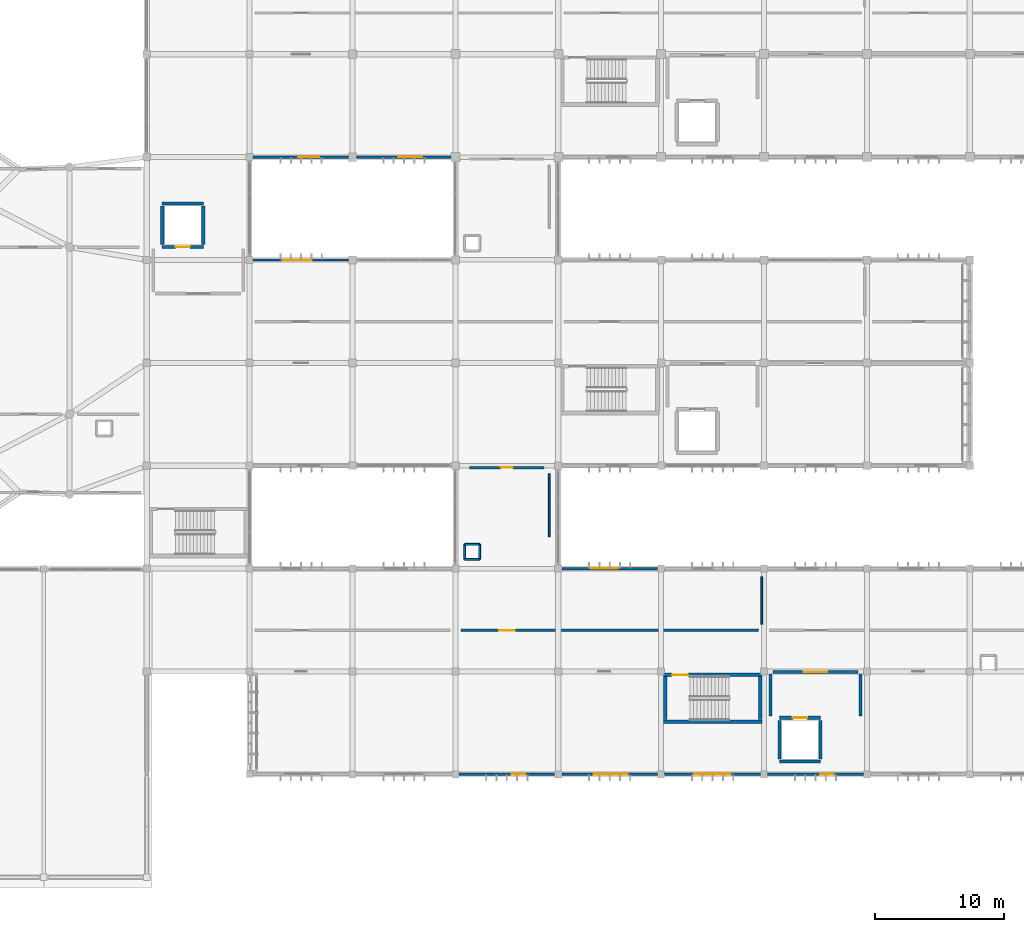
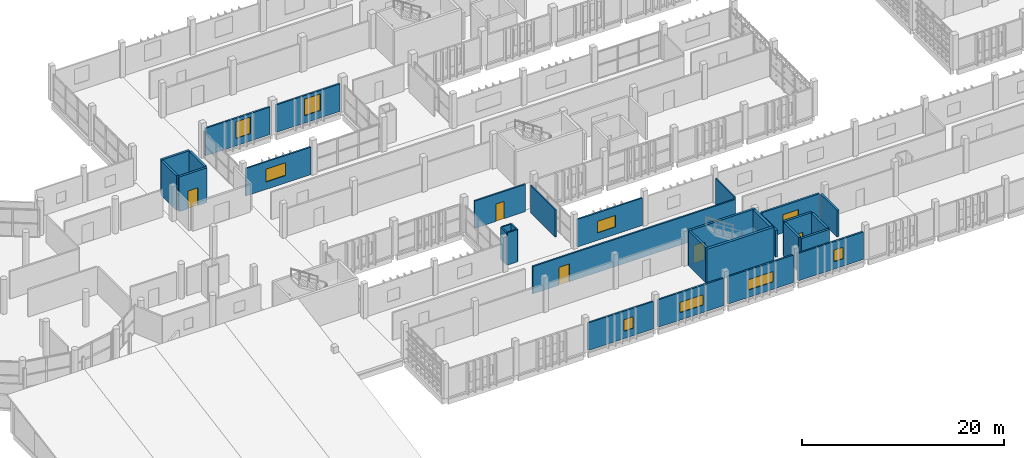
# One storey, part 66 of 83: 31 walls, 8 windows, 6 doors, 14 openings.
"""IFC4 building model written with IfcOpenShell, lengths in metres."""

from ifc_helpers import new_model, si_unit, direction, frame, frame_2d, origin, place, context, subcontext, project, spatial, rectangle, extrude, material, layer, layer_set, type_object, element, fill, save


model = new_model("IFC4")

# Units and contexts
model_context = context("Model", 3, precision=1e-05, world=origin(), true_north=direction((0.0, 1.0)))
body_context = subcontext(model_context, "Body", "Model", "MODEL_VIEW")
ifc_project = project(units=[si_unit("LENGTHUNIT", "METRE"), si_unit("AREAUNIT", "SQUARE_METRE"), si_unit("VOLUMEUNIT", "CUBIC_METRE"), si_unit("PLANEANGLEUNIT", "RADIAN"), si_unit("MASSUNIT", "GRAM", prefix="KILO")], contexts=[model_context])

# Site, building, storey
site_placement = place(None, origin())
site = spatial("IfcSite", under=ifc_project, at=site_placement, CompositionType="ELEMENT")
building_placement = place(site_placement, origin())
building = spatial("IfcBuilding", under=site, at=building_placement, Name="Jelvoka-Kovrelna Polytechnic", CompositionType="ELEMENT")
storey_placement = place(building_placement, frame((0.0, 0.0, 13.800048828125)))
storey = spatial("IfcBuildingStorey", under=building, at=storey_placement, Name="L04", CompositionType="ELEMENT", Elevation=13.800048828125)

# Wall, opening, door
ifc_material_1 = material(Name="Concrete C35/45", Category="concrete")
ifc_layer_1 = layer(ifc_material_1, 0.219970703125)
ifc_layer_set_1 = layer_set([ifc_layer_1], Name="Concrete C35/45")
wall_type_1 = type_object("IfcWallType", Name="Wall_Compartment_220", PredefinedType="PARTITIONING", material=ifc_layer_set_1)
wall_1_placement = place(storey_placement, frame((96.699951171875, 15.949951171875, 0.0), z_axis=(0.0, 0.0, 1.0), x_axis=(1.0, 0.0, 0.0)))
wall_1 = element("IfcWall", 1, at=wall_1_placement, inside=storey, type_object=wall_type_1, Name="L04 interior wall 0545", PredefinedType="PARTITIONING", context=body_context, shape_type="SweptSolid", body=[
    extrude(rectangle(XDim=6.60009765625, YDim=0.219970703125, at=frame_2d((3.300048828125, 0.0))), origin(), (0.0, 0.0, 1.0), 3.27490234375),
])
opening_1_placement = place(wall_1_placement, frame((2.39990234375, 0.0, 0.0)))
opening_1 = element("IfcOpeningElement", 2, at=opening_1_placement, cuts=wall_1, Name="Opening FD-L04-100", PredefinedType="OPENING", context=body_context, shape_type="SweptSolid", body=[
    extrude(rectangle(XDim=1.800048828125, YDim=2.199951171875, at=frame_2d((0.89990234375, 1.10009765625))), frame((0.0, 0.119873046875, 0.0), z_axis=(0.0, -1.0, 0.0), x_axis=(1.0, 0.0, 0.0)), (0.0, 0.0, 1.0), 0.239990234375),
])
ifc_material_2 = material(Name="Paired steel corridor fire door", Category="steel")
door_type_1 = type_object("IfcDoorType", Name="Door_Fire_FD03", OperationType="NOTDEFINED", PredefinedType="DOOR", material=ifc_material_2)
door_1_placement = place(opening_1_placement, origin())
door_1 = element("IfcDoor", 3, at=door_1_placement, inside=storey, type_object=door_type_1, Name="L04 interior door FD-L04-100", OperationType="DOUBLE_DOOR_SINGLE_SWING", OverallHeight=2.199951171875, OverallWidth=1.800048828125, PredefinedType="DOOR", context=body_context, shape_type="SweptSolid", body=[
    extrude(rectangle(XDim=1.800048828125, YDim=2.199951171875, at=frame_2d((0.89990234375, 1.10009765625))), frame((0.0, 0.02490234375, 0.0), z_axis=(0.0, -1.0, 0.0), x_axis=(1.0, 0.0, 0.0)), (0.0, 0.0, 1.0), 0.050048828125),
])
fill(opening_1, door_1)

# Walls
for number, where, z_axis, x_axis, name in (
    (4, (96.5, 12.550048828125, 0.0), (0.0, 0.0, 1.0), (0.0, 1.0, 0.0), "L04 interior wall 0546"),
    (5, (103.5, 12.550048828125, 0.0), (0.0, 0.0, 1.0), (0.0, 1.0, 0.0), "L04 interior wall 0547"),
):
    element("IfcWall", number, at=place(storey_placement, frame(where, z_axis=z_axis, x_axis=x_axis)), inside=storey, type_object=wall_type_1, Name=name, PredefinedType="PARTITIONING", context=body_context, shape_type="SweptSolid", body=[
        extrude(rectangle(XDim=3.25, YDim=0.219970703125, at=frame_2d((1.625, 0.0))), origin(), (0.0, 0.0, 1.0), 3.224853515625),
    ])

# Wall, opening, door
ifc_material_3 = material(Name="Concrete C40/50", Category="concrete")
ifc_layer_2 = layer(ifc_material_3, 0.25)
ifc_layer_set_2 = layer_set([ifc_layer_2], Name="Concrete C40/50")
wall_type_2 = type_object("IfcWallType", Name="Wall_Core_250", PredefinedType="SOLIDWALL", material=ifc_layer_set_2)
wall_2_placement = place(storey_placement, frame((88.199951171875, 15.739990234375, 0.0), z_axis=(0.0, 0.0, 1.0), x_axis=(1.0, 0.0, 0.0)))
wall_2 = element("IfcWall", 6, at=wall_2_placement, inside=storey, type_object=wall_type_2, Name="L04 interior wall 0079", PredefinedType="SOLIDWALL", context=body_context, shape_type="SweptSolid", body=[
    extrude(rectangle(XDim=7.650146484375, YDim=0.25, at=frame_2d((3.8251953125, 0.0))), origin(), (0.0, 0.0, 1.0), 4.199951171875),
])
opening_2_placement = place(wall_2_placement, frame((0.64990234375, 0.0, 0.0)))
opening_2 = element("IfcOpeningElement", 7, at=opening_2_placement, cuts=wall_2, Name="Opening SD-L04-020", PredefinedType="OPENING", context=body_context, shape_type="SweptSolid", body=[
    extrude(rectangle(XDim=1.25, YDim=2.14990234375, at=frame_2d((0.625, 1.074951171875))), frame((0.0, 0.135009765625, 0.0), z_axis=(0.0, -1.0, 0.0), x_axis=(1.0, 0.0, 0.0)), (0.0, 0.0, 1.0), 0.27001953125),
])
ifc_material_4 = material(Name="Powder-coated steel fire door", Category="steel")
door_type_2 = type_object("IfcDoorType", Name="Door_Fire_FD02", OperationType="NOTDEFINED", PredefinedType="DOOR", material=ifc_material_4)
door_2_placement = place(opening_2_placement, origin())
door_2 = element("IfcDoor", 8, at=door_2_placement, inside=storey, type_object=door_type_2, Name="L04 interior door SD-L04-020", OperationType="SINGLE_SWING_LEFT", OverallHeight=2.14990234375, OverallWidth=1.25, PredefinedType="DOOR", context=body_context, shape_type="SweptSolid", body=[
    extrude(rectangle(XDim=1.25, YDim=2.14990234375, at=frame_2d((0.625, 1.074951171875))), frame((0.0, 0.02490234375, 0.0), z_axis=(0.0, -1.0, 0.0), x_axis=(1.0, 0.0, 0.0)), (0.0, 0.0, 1.0), 0.050048828125),
])
fill(opening_2, door_2)

# Walls
wall_3_placement = place(storey_placement, frame((88.324951171875, 12.25, 0.0), z_axis=(0.0, 0.0, 1.0), x_axis=(0.0, 1.0, 0.0)))
element("IfcWall", 9, at=wall_3_placement, inside=storey, type_object=wall_type_2, Name="L04 interior wall 0080", PredefinedType="SOLIDWALL", context=body_context, shape_type="SweptSolid", body=[
    extrude(rectangle(XDim=3.360107421875, YDim=0.25, at=frame_2d((1.68017578125, 0.0))), origin(), (0.0, 0.0, 1.0), 4.199951171875),
])
wall_4_placement = place(storey_placement, frame((97.199951171875, 9.0, 0.0), z_axis=(0.0, 0.0, 1.0), x_axis=(1.0, 0.0, 0.0)))
element("IfcWall", 10, at=wall_4_placement, inside=storey, type_object=wall_type_2, Name="L04 interior wall 0541", PredefinedType="SOLIDWALL", context=body_context, shape_type="SweptSolid", body=[
    extrude(rectangle(XDim=3.199951171875, YDim=0.25, at=frame_2d((1.60009765625, 0.0))), origin(), (0.0, 0.0, 1.0), 4.199951171875),
])

# Wall, opening, door
wall_5_placement = place(storey_placement, frame((97.199951171875, 12.39990234375, 0.0), z_axis=(0.0, 0.0, 1.0), x_axis=(1.0, 0.0, 0.0)))
wall_5 = element("IfcWall", 11, at=wall_5_placement, inside=storey, type_object=wall_type_2, Name="L04 interior wall 0542", PredefinedType="SOLIDWALL", context=body_context, shape_type="SweptSolid", body=[
    extrude(rectangle(XDim=3.199951171875, YDim=0.25, at=frame_2d((1.60009765625, 0.0))), origin(), (0.0, 0.0, 1.0), 4.199951171875),
])
opening_3_placement = place(wall_5_placement, frame((1.050048828125, 0.0, 0.0)))
opening_3 = element("IfcOpeningElement", 12, at=opening_3_placement, cuts=wall_5, Name="Opening LD-L04-37", PredefinedType="OPENING", context=body_context, shape_type="SweptSolid", body=[
    extrude(rectangle(XDim=1.10009765625, YDim=2.14990234375, at=frame_2d((0.550048828125, 1.074951171875))), frame((0.0, 0.135009765625, 0.0), z_axis=(0.0, -1.0, 0.0), x_axis=(1.0, 0.0, 0.0)), (0.0, 0.0, 1.0), 0.27001953125),
])
ifc_material_5 = material(Name="Brushed stainless steel sliding landing door", Category="steel")
door_type_3 = type_object("IfcDoorType", Name="Door_Lift_LD01", OperationType="NOTDEFINED", PredefinedType="DOOR", material=ifc_material_5)
door_3_placement = place(opening_3_placement, origin())
door_3 = element("IfcDoor", 13, at=door_3_placement, inside=storey, type_object=door_type_3, Name="L04 lift landing sliding door LD-L04-37", OperationType="DOUBLE_DOOR_SLIDING", OverallHeight=2.14990234375, OverallWidth=1.10009765625, PredefinedType="DOOR", context=body_context, shape_type="SweptSolid", body=[
    extrude(rectangle(XDim=1.10009765625, YDim=2.14990234375, at=frame_2d((0.550048828125, 1.074951171875))), frame((0.0, 0.02490234375, 0.0), z_axis=(0.0, -1.0, 0.0), x_axis=(1.0, 0.0, 0.0)), (0.0, 0.0, 1.0), 0.050048828125),
])
fill(opening_3, door_3)

# Walls
for number, where, z_axis, x_axis, name in (
    (14, (97.199951171875, 9.199951171875, 0.0), (0.0, 0.0, 1.0), (0.0, 1.0, 0.0), "L04 interior wall 0543"),
    (15, (100.39990234375, 9.199951171875, 0.0), (0.0, 0.0, 1.0), (0.0, 1.0, 0.0), "L04 interior wall 0544"),
):
    element("IfcWall", number, at=place(storey_placement, frame(where, z_axis=z_axis, x_axis=x_axis)), inside=storey, type_object=wall_type_2, Name=name, PredefinedType="SOLIDWALL", context=body_context, shape_type="SweptSolid", body=[
        extrude(rectangle(XDim=3.0, YDim=0.25, at=frame_2d((1.5, 0.0))), origin(), (0.0, 0.0, 1.0), 4.199951171875),
    ])

# Wall, opening, door
wall_6_placement = place(storey_placement, frame((49.199951171875, 49.0, 0.0), z_axis=(0.0, 0.0, 1.0), x_axis=(1.0, 0.0, 0.0)))
wall_6 = element("IfcWall", 16, at=wall_6_placement, inside=storey, type_object=wall_type_2, Name="L04 interior wall 0584", PredefinedType="SOLIDWALL", context=body_context, shape_type="SweptSolid", body=[
    extrude(rectangle(XDim=3.199951171875, YDim=0.25, at=frame_2d((1.60009765625, 0.0))), origin(), (0.0, 0.0, 1.0), 4.199951171875),
])
opening_4_placement = place(wall_6_placement, frame((1.050048828125, 0.0, 0.0)))
opening_4 = element("IfcOpeningElement", 17, at=opening_4_placement, cuts=wall_6, Name="Opening LD-L04-42", PredefinedType="OPENING", context=body_context, shape_type="SweptSolid", body=[
    extrude(rectangle(XDim=1.10009765625, YDim=2.14990234375, at=frame_2d((0.550048828125, 1.074951171875))), frame((0.0, 0.135009765625, 0.0), z_axis=(0.0, -1.0, 0.0), x_axis=(1.0, 0.0, 0.0)), (0.0, 0.0, 1.0), 0.27001953125),
])
door_4_placement = place(opening_4_placement, origin())
door_4 = element("IfcDoor", 18, at=door_4_placement, inside=storey, type_object=door_type_3, Name="L04 lift landing sliding door LD-L04-42", OperationType="DOUBLE_DOOR_SLIDING", OverallHeight=2.14990234375, OverallWidth=1.10009765625, PredefinedType="DOOR", context=body_context, shape_type="SweptSolid", body=[
    extrude(rectangle(XDim=1.10009765625, YDim=2.14990234375, at=frame_2d((0.550048828125, 1.074951171875))), frame((0.0, 0.02490234375, 0.0), z_axis=(0.0, -1.0, 0.0), x_axis=(1.0, 0.0, 0.0)), (0.0, 0.0, 1.0), 0.050048828125),
])
fill(opening_4, door_4)

# Walls
wall_7_placement = place(storey_placement, frame((49.199951171875, 52.39990234375, 0.0), z_axis=(0.0, 0.0, 1.0), x_axis=(1.0, 0.0, 0.0)))
element("IfcWall", 19, at=wall_7_placement, inside=storey, type_object=wall_type_2, Name="L04 interior wall 0585", PredefinedType="SOLIDWALL", context=body_context, shape_type="SweptSolid", body=[
    extrude(rectangle(XDim=3.199951171875, YDim=0.25, at=frame_2d((1.60009765625, 0.0))), origin(), (0.0, 0.0, 1.0), 4.199951171875),
])
for number, where, z_axis, x_axis, name in (
    (20, (49.199951171875, 49.199951171875, 0.0), (0.0, 0.0, 1.0), (0.0, 1.0, 0.0), "L04 interior wall 0586"),
    (21, (52.39990234375, 49.199951171875, 0.0), (0.0, 0.0, 1.0), (0.0, 1.0, 0.0), "L04 interior wall 0587"),
):
    element("IfcWall", number, at=place(storey_placement, frame(where, z_axis=z_axis, x_axis=x_axis)), inside=storey, type_object=wall_type_2, Name=name, PredefinedType="SOLIDWALL", context=body_context, shape_type="SweptSolid", body=[
        extrude(rectangle(XDim=3.0, YDim=0.25, at=frame_2d((1.5, 0.0))), origin(), (0.0, 0.0, 1.0), 4.199951171875),
    ])

# Wall, opening, door
ifc_material_6 = material(Name="Autoclaved aerated concrete blockwork", Category="masonry")
ifc_layer_3 = layer(ifc_material_6, 0.179931640625)
ifc_layer_set_3 = layer_set([ifc_layer_3], Name="Autoclaved aerated concrete blockwork")
wall_type_3 = type_object("IfcWallType", Name="Wall_Corridor_180", PredefinedType="PARTITIONING", material=ifc_layer_set_3)
wall_8_placement = place(storey_placement, frame((72.429931640625, 19.199951171875, 0.0), z_axis=(0.0, 0.0, 1.0), x_axis=(1.0, 0.0, 0.0)))
wall_8 = element("IfcWall", 22, at=wall_8_placement, inside=storey, type_object=wall_type_3, Name="L04 interior wall 1115", PredefinedType="PARTITIONING", context=body_context, shape_type="SweptSolid", body=[
    extrude(rectangle(XDim=23.14013671875, YDim=0.179931640625, at=frame_2d((11.570068359375, 0.0))), origin(), (0.0, 0.0, 1.0), 3.300048828125),
])
opening_5_placement = place(wall_8_placement, frame((2.969970703125, 0.0, 0.0)))
opening_5 = element("IfcOpeningElement", 23, at=opening_5_placement, cuts=wall_8, Name="Opening D-L04-335", PredefinedType="OPENING", context=body_context, shape_type="SweptSolid", body=[
    extrude(rectangle(XDim=1.199951171875, YDim=2.14990234375, at=frame_2d((0.60009765625, 1.074951171875))), frame((0.0, 0.099853515625, 0.0), z_axis=(0.0, -1.0, 0.0), x_axis=(1.0, 0.0, 0.0)), (0.0, 0.0, 1.0), 0.199951171875),
])
ifc_material_7 = material(Name="Laboratory vision-panel door", Category="wood")
door_type_4 = type_object("IfcDoorType", Name="Door_Int_D12", OperationType="NOTDEFINED", PredefinedType="DOOR", material=ifc_material_7)
door_5_placement = place(opening_5_placement, origin())
door_5 = element("IfcDoor", 24, at=door_5_placement, inside=storey, type_object=door_type_4, Name="L04 interior door D-L04-335", OperationType="SINGLE_SWING_RIGHT", OverallHeight=2.14990234375, OverallWidth=1.199951171875, PredefinedType="DOOR", context=body_context, shape_type="SweptSolid", body=[
    extrude(rectangle(XDim=1.199951171875, YDim=2.14990234375, at=frame_2d((0.60009765625, 1.074951171875))), frame((0.0, 0.02490234375, 0.0), z_axis=(0.0, -1.0, 0.0), x_axis=(1.0, 0.0, 0.0)), (0.0, 0.0, 1.0), 0.050048828125),
])
fill(opening_5, door_5)

wall_9_placement = place(storey_placement, frame((73.10009765625, 31.85009765625, 0.0), z_axis=(0.0, 0.0, 1.0), x_axis=(1.0, 0.0, 0.0)))
wall_9 = element("IfcWall", 25, at=wall_9_placement, inside=storey, type_object=wall_type_3, Name="L04 interior wall 1151", PredefinedType="PARTITIONING", context=body_context, shape_type="SweptSolid", body=[
    extrude(rectangle(XDim=5.7998046875, YDim=0.179931640625, at=frame_2d((2.89990234375, 0.0))), origin(), (0.0, 0.0, 1.0), 3.300048828125),
])
opening_6_placement = place(wall_9_placement, frame((2.429931640625, 0.0, 0.0)))
opening_6 = element("IfcOpeningElement", 26, at=opening_6_placement, cuts=wall_9, Name="Opening D-L04-361", PredefinedType="OPENING", context=body_context, shape_type="SweptSolid", body=[
    extrude(rectangle(XDim=0.93994140625, YDim=2.10009765625, at=frame_2d((0.469970703125, 1.050048828125))), frame((0.0, 0.099853515625, 0.0), z_axis=(0.0, -1.0, 0.0), x_axis=(1.0, 0.0, 0.0)), (0.0, 0.0, 1.0), 0.199951171875),
])
ifc_material_8 = material(Name="Hardwood solid-core door", Category="wood")
door_type_5 = type_object("IfcDoorType", Name="Door_Int_D02", OperationType="NOTDEFINED", PredefinedType="DOOR", material=ifc_material_8)
door_6_placement = place(opening_6_placement, origin())
door_6 = element("IfcDoor", 27, at=door_6_placement, inside=storey, type_object=door_type_5, Name="L04 interior door D-L04-361", OperationType="SINGLE_SWING_RIGHT", OverallHeight=2.10009765625, OverallWidth=0.93994140625, PredefinedType="DOOR", context=body_context, shape_type="SweptSolid", body=[
    extrude(rectangle(XDim=0.93994140625, YDim=2.10009765625, at=frame_2d((0.469970703125, 1.050048828125))), frame((0.0, 0.02490234375, 0.0), z_axis=(0.0, -1.0, 0.0), x_axis=(1.0, 0.0, 0.0)), (0.0, 0.0, 1.0), 0.050048828125),
])
fill(opening_6, door_6)

# Wall, opening, window
ifc_material_9 = material(Name="Precast concrete C40/50", Category="concrete")
ifc_layer_4 = layer(ifc_material_9, 0.18505859375)
ifc_layer_set_4 = layer_set([ifc_layer_4], Name="Precast concrete C40/50")
wall_type_4 = type_object("IfcWallType", Name="Wall_Ext_White_260", PredefinedType="STANDARD", material=ifc_layer_set_4)
wall_10_placement = place(storey_placement, frame((79.72802734375, 8.0, 0.0), z_axis=(0.0, 0.0, 1.0), x_axis=(-1.0, 0.0, 0.0)))
wall_10 = element("IfcWall", 28, at=wall_10_placement, inside=storey, type_object=wall_type_4, Name="L04 exterior wall 0312", PredefinedType="STANDARD", context=body_context, shape_type="SweptSolid", body=[
    extrude(rectangle(XDim=7.4560546875, YDim=0.18505859375, at=frame_2d((3.72802734375, 0.0))), origin(), (0.0, 0.0, 1.0), 3.324951171875),
])
opening_7_placement = place(wall_10_placement, frame((2.30810546875, 0.0, 0.89990234375)))
opening_7 = element("IfcOpeningElement", 29, at=opening_7_placement, cuts=wall_10, Name="Opening W-L04-072", PredefinedType="OPENING", context=body_context, shape_type="SweptSolid", body=[
    extrude(rectangle(XDim=1.050048828125, YDim=1.39990234375, at=frame_2d((0.52490234375, 0.699951171875))), frame((0.0, 0.1025390625, 0.0), z_axis=(0.0, -1.0, 0.0), x_axis=(1.0, 0.0, 0.0)), (0.0, 0.0, 1.0), 0.205078125),
])
ifc_material_10 = material(Name="Thermally broken anodised aluminium and low-e glazing", Category="aluminium")
window_type_1 = type_object("IfcWindowType", Name="Win_Casement_W11", PartitioningType="SINGLE_PANEL", PredefinedType="WINDOW", material=ifc_material_10)
window_1_placement = place(opening_7_placement, origin())
window_1 = element("IfcWindow", 30, at=window_1_placement, inside=storey, type_object=window_type_1, Name="L04 aluminium casement window W-L04-072", OverallHeight=1.39990234375, OverallWidth=1.050048828125, PartitioningType="SINGLE_PANEL", PredefinedType="WINDOW", context=body_context, shape_type="SweptSolid", body=[
    extrude(rectangle(XDim=1.050048828125, YDim=1.39990234375, at=frame_2d((0.52490234375, 0.699951171875))), frame((0.0, 0.030029296875, 0.0), z_axis=(0.0, -1.0, 0.0), x_axis=(1.0, 0.0, 0.0)), (0.0, 0.0, 1.0), 0.06005859375),
])
fill(opening_7, window_1)

wall_11_placement = place(storey_placement, frame((87.72802734375, 8.0, 0.0), z_axis=(0.0, 0.0, 1.0), x_axis=(-1.0, 0.0, 0.0)))
wall_11 = element("IfcWall", 31, at=wall_11_placement, inside=storey, type_object=wall_type_4, Name="L04 exterior wall 0313", PredefinedType="STANDARD", context=body_context, shape_type="SweptSolid", body=[
    extrude(rectangle(XDim=7.4560546875, YDim=0.18505859375, at=frame_2d((3.72802734375, 0.0))), origin(), (0.0, 0.0, 1.0), 3.324951171875),
])
opening_8_placement = place(wall_11_placement, frame((2.30810546875, 0.0, 0.89990234375)))
opening_8 = element("IfcOpeningElement", 32, at=opening_8_placement, cuts=wall_11, Name="Opening W-L04-073", PredefinedType="OPENING", context=body_context, shape_type="SweptSolid", body=[
    extrude(rectangle(XDim=2.64990234375, YDim=1.25, at=frame_2d((1.324951171875, 0.625))), frame((0.0, 0.1025390625, 0.0), z_axis=(0.0, -1.0, 0.0), x_axis=(1.0, 0.0, 0.0)), (0.0, 0.0, 1.0), 0.205078125),
])
ifc_material_11 = material(Name="Thermally broken anodised aluminium and low-e glazing", Category="aluminium")
window_type_2 = type_object("IfcWindowType", Name="Win_Casement_W09", PartitioningType="DOUBLE_PANEL_VERTICAL", PredefinedType="WINDOW", material=ifc_material_11)
window_2_placement = place(opening_8_placement, origin())
window_2 = element("IfcWindow", 33, at=window_2_placement, inside=storey, type_object=window_type_2, Name="L04 aluminium casement window W-L04-073", OverallHeight=1.25, OverallWidth=2.64990234375, PartitioningType="DOUBLE_PANEL_VERTICAL", PredefinedType="WINDOW", context=body_context, shape_type="SweptSolid", body=[
    extrude(rectangle(XDim=2.64990234375, YDim=1.25, at=frame_2d((1.324951171875, 0.625))), frame((0.0, 0.030029296875, 0.0), z_axis=(0.0, -1.0, 0.0), x_axis=(1.0, 0.0, 0.0)), (0.0, 0.0, 1.0), 0.06005859375),
])
fill(opening_8, window_2)

wall_12_placement = place(storey_placement, frame((80.27197265625, 24.0, 0.0), z_axis=(0.0, 0.0, 1.0), x_axis=(1.0, 0.0, 0.0)))
wall_12 = element("IfcWall", 34, at=wall_12_placement, inside=storey, type_object=wall_type_4, Name="L04 exterior wall 0314", PredefinedType="STANDARD", context=body_context, shape_type="SweptSolid", body=[
    extrude(rectangle(XDim=7.4560546875, YDim=0.18505859375, at=frame_2d((3.72802734375, 0.0))), origin(), (0.0, 0.0, 1.0), 3.324951171875),
])
opening_9_placement = place(wall_12_placement, frame((2.30810546875, 0.0, 0.89990234375)))
opening_9 = element("IfcOpeningElement", 35, at=opening_9_placement, cuts=wall_12, Name="Opening W-L04-074", PredefinedType="OPENING", context=body_context, shape_type="SweptSolid", body=[
    extrude(rectangle(XDim=2.050048828125, YDim=1.39990234375, at=frame_2d((1.02490234375, 0.699951171875))), frame((0.0, 0.1025390625, 0.0), z_axis=(0.0, -1.0, 0.0), x_axis=(1.0, 0.0, 0.0)), (0.0, 0.0, 1.0), 0.205078125),
])
ifc_material_12 = material(Name="Thermally broken anodised aluminium and low-e glazing", Category="aluminium")
window_type_3 = type_object("IfcWindowType", Name="Win_Casement_W16", PartitioningType="DOUBLE_PANEL_VERTICAL", PredefinedType="WINDOW", material=ifc_material_12)
window_3_placement = place(opening_9_placement, origin())
window_3 = element("IfcWindow", 36, at=window_3_placement, inside=storey, type_object=window_type_3, Name="L04 aluminium casement window W-L04-074", OverallHeight=1.39990234375, OverallWidth=2.050048828125, PartitioningType="DOUBLE_PANEL_VERTICAL", PredefinedType="WINDOW", context=body_context, shape_type="SweptSolid", body=[
    extrude(rectangle(XDim=2.050048828125, YDim=1.39990234375, at=frame_2d((1.02490234375, 0.699951171875))), frame((0.0, 0.030029296875, 0.0), z_axis=(0.0, -1.0, 0.0), x_axis=(1.0, 0.0, 0.0)), (0.0, 0.0, 1.0), 0.06005859375),
])
fill(opening_9, window_3)

wall_13_placement = place(storey_placement, frame((95.72802734375, 8.0, 0.0), z_axis=(0.0, 0.0, 1.0), x_axis=(-1.0, 0.0, 0.0)))
wall_13 = element("IfcWall", 37, at=wall_13_placement, inside=storey, type_object=wall_type_4, Name="L04 exterior wall 0315", PredefinedType="STANDARD", context=body_context, shape_type="SweptSolid", body=[
    extrude(rectangle(XDim=7.4560546875, YDim=0.18505859375, at=frame_2d((3.72802734375, 0.0))), origin(), (0.0, 0.0, 1.0), 3.324951171875),
])
opening_10_placement = place(wall_13_placement, frame((2.30810546875, 0.0, 0.89990234375)))
opening_10 = element("IfcOpeningElement", 38, at=opening_10_placement, cuts=wall_13, Name="Opening W-L04-075", PredefinedType="OPENING", context=body_context, shape_type="SweptSolid", body=[
    extrude(rectangle(XDim=2.85009765625, YDim=1.25, at=frame_2d((1.425048828125, 0.625))), frame((0.0, 0.1025390625, 0.0), z_axis=(0.0, -1.0, 0.0), x_axis=(1.0, 0.0, 0.0)), (0.0, 0.0, 1.0), 0.205078125),
])
ifc_material_13 = material(Name="Thermally broken anodised aluminium and low-e glazing", Category="aluminium")
window_type_4 = type_object("IfcWindowType", Name="Win_Casement_W10", PartitioningType="DOUBLE_PANEL_VERTICAL", PredefinedType="WINDOW", material=ifc_material_13)
window_4_placement = place(opening_10_placement, origin())
window_4 = element("IfcWindow", 39, at=window_4_placement, inside=storey, type_object=window_type_4, Name="L04 aluminium casement window W-L04-075", OverallHeight=1.25, OverallWidth=2.85009765625, PartitioningType="DOUBLE_PANEL_VERTICAL", PredefinedType="WINDOW", context=body_context, shape_type="SweptSolid", body=[
    extrude(rectangle(XDim=2.85009765625, YDim=1.25, at=frame_2d((1.425048828125, 0.625))), frame((0.0, 0.030029296875, 0.0), z_axis=(0.0, -1.0, 0.0), x_axis=(1.0, 0.0, 0.0)), (0.0, 0.0, 1.0), 0.06005859375),
])
fill(opening_10, window_4)

wall_14_placement = place(storey_placement, frame((103.72802734375, 8.0, 0.0), z_axis=(0.0, 0.0, 1.0), x_axis=(-1.0, 0.0, 0.0)))
wall_14 = element("IfcWall", 40, at=wall_14_placement, inside=storey, type_object=wall_type_4, Name="L04 exterior wall 0317", PredefinedType="STANDARD", context=body_context, shape_type="SweptSolid", body=[
    extrude(rectangle(XDim=7.4560546875, YDim=0.18505859375, at=frame_2d((3.72802734375, 0.0))), origin(), (0.0, 0.0, 1.0), 3.324951171875),
])
opening_11_placement = place(wall_14_placement, frame((2.30810546875, 0.0, 0.89990234375)))
opening_11 = element("IfcOpeningElement", 41, at=opening_11_placement, cuts=wall_14, Name="Opening W-L04-077", PredefinedType="OPENING", context=body_context, shape_type="SweptSolid", body=[
    extrude(rectangle(XDim=1.050048828125, YDim=1.39990234375, at=frame_2d((0.52490234375, 0.699951171875))), frame((0.0, 0.1025390625, 0.0), z_axis=(0.0, -1.0, 0.0), x_axis=(1.0, 0.0, 0.0)), (0.0, 0.0, 1.0), 0.205078125),
])
window_5_placement = place(opening_11_placement, origin())
window_5 = element("IfcWindow", 42, at=window_5_placement, inside=storey, type_object=window_type_1, Name="L04 aluminium casement window W-L04-077", OverallHeight=1.39990234375, OverallWidth=1.050048828125, PartitioningType="SINGLE_PANEL", PredefinedType="WINDOW", context=body_context, shape_type="SweptSolid", body=[
    extrude(rectangle(XDim=1.050048828125, YDim=1.39990234375, at=frame_2d((0.52490234375, 0.699951171875))), frame((0.0, 0.030029296875, 0.0), z_axis=(0.0, -1.0, 0.0), x_axis=(1.0, 0.0, 0.0)), (0.0, 0.0, 1.0), 0.06005859375),
])
fill(opening_11, window_5)

wall_15_placement = place(storey_placement, frame((56.27197265625, 48.0, 0.0), z_axis=(0.0, 0.0, 1.0), x_axis=(1.0, 0.0, 0.0)))
wall_15 = element("IfcWall", 43, at=wall_15_placement, inside=storey, type_object=wall_type_4, Name="L04 exterior wall 0401", PredefinedType="STANDARD", context=body_context, shape_type="SweptSolid", body=[
    extrude(rectangle(XDim=7.430908203125, YDim=0.18505859375, at=frame_2d((3.71533203125, 0.0))), origin(), (0.0, 0.0, 1.0), 3.324951171875),
])
opening_12_placement = place(wall_15_placement, frame((2.30810546875, 0.0, 0.89990234375)))
opening_12 = element("IfcOpeningElement", 44, at=opening_12_placement, cuts=wall_15, Name="Opening W-L04-138", PredefinedType="OPENING", context=body_context, shape_type="SweptSolid", body=[
    extrude(rectangle(XDim=2.25, YDim=1.550048828125, at=frame_2d((1.125, 0.77490234375))), frame((0.0, 0.1025390625, 0.0), z_axis=(0.0, -1.0, 0.0), x_axis=(1.0, 0.0, 0.0)), (0.0, 0.0, 1.0), 0.205078125),
])
ifc_material_14 = material(Name="Thermally broken anodised aluminium and low-e glazing", Category="aluminium")
window_type_5 = type_object("IfcWindowType", Name="Win_Casement_W27", PartitioningType="DOUBLE_PANEL_VERTICAL", PredefinedType="WINDOW", material=ifc_material_14)
window_6_placement = place(opening_12_placement, origin())
window_6 = element("IfcWindow", 45, at=window_6_placement, inside=storey, type_object=window_type_5, Name="L04 aluminium casement window W-L04-138", OverallHeight=1.550048828125, OverallWidth=2.25, PartitioningType="DOUBLE_PANEL_VERTICAL", PredefinedType="WINDOW", context=body_context, shape_type="SweptSolid", body=[
    extrude(rectangle(XDim=2.25, YDim=1.550048828125, at=frame_2d((1.125, 0.77490234375))), frame((0.0, 0.030029296875, 0.0), z_axis=(0.0, -1.0, 0.0), x_axis=(1.0, 0.0, 0.0)), (0.0, 0.0, 1.0), 0.06005859375),
])
fill(opening_12, window_6)

wall_16_placement = place(storey_placement, frame((63.677978515625, 56.0, 0.0), z_axis=(0.0, 0.0, 1.0), x_axis=(-1.0, 0.0, 0.0)))
wall_16 = element("IfcWall", 46, at=wall_16_placement, inside=storey, type_object=wall_type_4, Name="L04 exterior wall 0675", PredefinedType="STANDARD", context=body_context, shape_type="SweptSolid", body=[
    extrude(rectangle(XDim=7.406005859375, YDim=0.18505859375, at=frame_2d((3.703125, 0.0))), origin(), (0.0, 0.0, 1.0), 3.324951171875),
])
opening_13_placement = place(wall_16_placement, frame((2.258056640625, 0.0, 0.89990234375)))
opening_13 = element("IfcOpeningElement", 47, at=opening_13_placement, cuts=wall_16, Name="Opening W-L04-341", PredefinedType="OPENING", context=body_context, shape_type="SweptSolid", body=[
    extrude(rectangle(XDim=1.64990234375, YDim=2.0, at=frame_2d((0.824951171875, 1.0))), frame((0.0, 0.1025390625, 0.0), z_axis=(0.0, -1.0, 0.0), x_axis=(1.0, 0.0, 0.0)), (0.0, 0.0, 1.0), 0.205078125),
])
ifc_material_15 = material(Name="Thermally broken anodised aluminium and low-e glazing", Category="aluminium")
window_type_6 = type_object("IfcWindowType", Name="Win_Casement_W54", PartitioningType="DOUBLE_PANEL_VERTICAL", PredefinedType="WINDOW", material=ifc_material_15)
window_7_placement = place(opening_13_placement, origin())
window_7 = element("IfcWindow", 48, at=window_7_placement, inside=storey, type_object=window_type_6, Name="L04 aluminium casement window W-L04-341", OverallHeight=2.0, OverallWidth=1.64990234375, PartitioningType="DOUBLE_PANEL_VERTICAL", PredefinedType="WINDOW", context=body_context, shape_type="SweptSolid", body=[
    extrude(rectangle(XDim=1.64990234375, YDim=2.0, at=frame_2d((0.824951171875, 1.0))), frame((0.0, 0.030029296875, 0.0), z_axis=(0.0, -1.0, 0.0), x_axis=(1.0, 0.0, 0.0)), (0.0, 0.0, 1.0), 0.06005859375),
])
fill(opening_13, window_7)

wall_17_placement = place(storey_placement, frame((71.653076171875, 56.0, 0.0), z_axis=(0.0, 0.0, 1.0), x_axis=(-1.0, 0.0, 0.0)))
wall_17 = element("IfcWall", 49, at=wall_17_placement, inside=storey, type_object=wall_type_4, Name="L04 exterior wall 0677", PredefinedType="STANDARD", context=body_context, shape_type="SweptSolid", body=[
    extrude(rectangle(XDim=7.3310546875, YDim=0.18505859375, at=frame_2d((3.66552734375, 0.0))), origin(), (0.0, 0.0, 1.0), 3.324951171875),
])
opening_14_placement = place(wall_17_placement, frame((2.23291015625, 0.0, 0.89990234375)))
opening_14 = element("IfcOpeningElement", 50, at=opening_14_placement, cuts=wall_17, Name="Opening W-L04-343", PredefinedType="OPENING", context=body_context, shape_type="SweptSolid", body=[
    extrude(rectangle(XDim=1.85009765625, YDim=2.0, at=frame_2d((0.925048828125, 1.0))), frame((0.0, 0.1025390625, 0.0), z_axis=(0.0, -1.0, 0.0), x_axis=(1.0, 0.0, 0.0)), (0.0, 0.0, 1.0), 0.205078125),
])
ifc_material_16 = material(Name="Thermally broken anodised aluminium and low-e glazing", Category="aluminium")
window_type_7 = type_object("IfcWindowType", Name="Win_Casement_W55", PartitioningType="DOUBLE_PANEL_VERTICAL", PredefinedType="WINDOW", material=ifc_material_16)
window_8_placement = place(opening_14_placement, origin())
window_8 = element("IfcWindow", 51, at=window_8_placement, inside=storey, type_object=window_type_7, Name="L04 aluminium casement window W-L04-343", OverallHeight=2.0, OverallWidth=1.85009765625, PartitioningType="DOUBLE_PANEL_VERTICAL", PredefinedType="WINDOW", context=body_context, shape_type="SweptSolid", body=[
    extrude(rectangle(XDim=1.85009765625, YDim=2.0, at=frame_2d((0.925048828125, 1.0))), frame((0.0, 0.030029296875, 0.0), z_axis=(0.0, -1.0, 0.0), x_axis=(1.0, 0.0, 0.0)), (0.0, 0.0, 1.0), 0.06005859375),
])
fill(opening_14, window_8)

# Walls
ifc_material_17 = material(Name="Acoustic operable studio partition", Category="wood")
ifc_layer_5 = layer(ifc_material_17, 0.1298828125)
ifc_layer_set_5 = layer_set([ifc_layer_5], Name="Acoustic operable studio partition")
wall_type_5 = type_object("IfcWallType", Name="Wall_Movable_130", PredefinedType="MOVABLE", material=ifc_layer_set_5)
wall_18_placement = place(storey_placement, frame((95.820068359375, 19.669921875, 0.0), z_axis=(0.0, 0.0, 1.0), x_axis=(0.0, 1.0, 0.0)))
element("IfcWall", 52, at=wall_18_placement, inside=storey, type_object=wall_type_5, Name="L04 interior wall 1116", PredefinedType="MOVABLE", context=body_context, shape_type="SweptSolid", body=[
    extrude(rectangle(XDim=3.7099609375, YDim=0.1298828125, at=frame_2d((1.85498046875, 0.0))), origin(), (0.0, 0.0, 1.0), 3.224853515625),
])
ifc_material_18 = material(Name="Acoustic gypsum stud partition")
ifc_layer_6 = layer(ifc_material_18, 0.125)
ifc_layer_set_6 = layer_set([ifc_layer_6], Name="Acoustic gypsum stud partition")
wall_type_6 = type_object("IfcWallType", Name="Wall_Partition_125", PredefinedType="PARTITIONING", material=ifc_layer_set_6)
wall_19_placement = place(storey_placement, frame((79.300048828125, 26.469970703125, 0.0), z_axis=(0.0, 0.0, 1.0), x_axis=(0.0, 1.0, 0.0)))
element("IfcWall", 53, at=wall_19_placement, inside=storey, type_object=wall_type_6, Name="L04 interior wall 1152", PredefinedType="PARTITIONING", context=body_context, shape_type="SweptSolid", body=[
    extrude(rectangle(XDim=4.909912109375, YDim=0.125, at=frame_2d((2.455078125, 0.0))), origin(), (0.0, 0.0, 1.0), 3.300048828125),
])
ifc_material_19 = material(Name="Autoclaved aerated concrete blockwork", Category="masonry")
ifc_layer_7 = layer(ifc_material_19, 0.14990234375)
ifc_layer_set_7 = layer_set([ifc_layer_7], Name="Autoclaved aerated concrete blockwork")
wall_type_7 = type_object("IfcWallType", Name="Wall_Partition_150", PredefinedType="PARTITIONING", material=ifc_layer_set_7)
for number, where, z_axis, x_axis, name in (
    (54, (72.719970703125, 24.719970703125, 0.0), (0.0, 0.0, 1.0), (1.0, 0.0, 0.0), "L04 interior wall 0744"),
    (55, (73.8798828125, 24.719970703125, 0.0), (0.0, 0.0, 1.0), (0.0, 1.0, 0.0), "L04 interior wall 0745"),
    (56, (73.8798828125, 25.8798828125, 0.0), (0.0, 0.0, 1.0), (-1.0, 0.0, 0.0), "L04 interior wall 0746"),
    (57, (72.719970703125, 25.8798828125, 0.0), (0.0, 0.0, 1.0), (0.0, -1.0, 0.0), "L04 interior wall 0747"),
):
    element("IfcWall", number, at=place(storey_placement, frame(where, z_axis=z_axis, x_axis=x_axis)), inside=storey, type_object=wall_type_7, Name=name, PredefinedType="PARTITIONING", context=body_context, shape_type="SweptSolid", body=[
        extrude(rectangle(XDim=1.159912109375, YDim=0.14990234375, at=frame_2d((0.580078125, 0.0))), origin(), (0.0, 0.0, 1.0), 3.89990234375),
    ])
ifc_material_20 = material(Name="Concrete C40/50", Category="concrete")
ifc_layer_8 = layer(ifc_material_20, 0.300048828125)
ifc_layer_set_8 = layer_set([ifc_layer_8], Name="Concrete C40/50")
wall_type_8 = type_object("IfcWallType", Name="Wall_Shear_300", PredefinedType="SHEAR", material=ifc_layer_set_8)
wall_20_placement = place(storey_placement, frame((88.199951171875, 12.090087890625, 0.0), z_axis=(0.0, 0.0, 1.0), x_axis=(1.0, 0.0, 0.0)))
element("IfcWall", 58, at=wall_20_placement, inside=storey, type_object=wall_type_8, Name="L04 interior wall 0077", PredefinedType="SHEAR", context=body_context, shape_type="SweptSolid", body=[
    extrude(rectangle(XDim=7.650146484375, YDim=0.300048828125, at=frame_2d((3.8251953125, 0.0))), origin(), (0.0, 0.0, 1.0), 4.199951171875),
])
wall_21_placement = place(storey_placement, frame((95.7099609375, 12.25, 0.0), z_axis=(0.0, 0.0, 1.0), x_axis=(0.0, 1.0, 0.0)))
element("IfcWall", 59, at=wall_21_placement, inside=storey, type_object=wall_type_8, Name="L04 interior wall 0078", PredefinedType="SHEAR", context=body_context, shape_type="SweptSolid", body=[
    extrude(rectangle(XDim=3.360107421875, YDim=0.300048828125, at=frame_2d((1.68017578125, 0.0))), origin(), (0.0, 0.0, 1.0), 4.199951171875),
])

save(model, "model.ifc")
